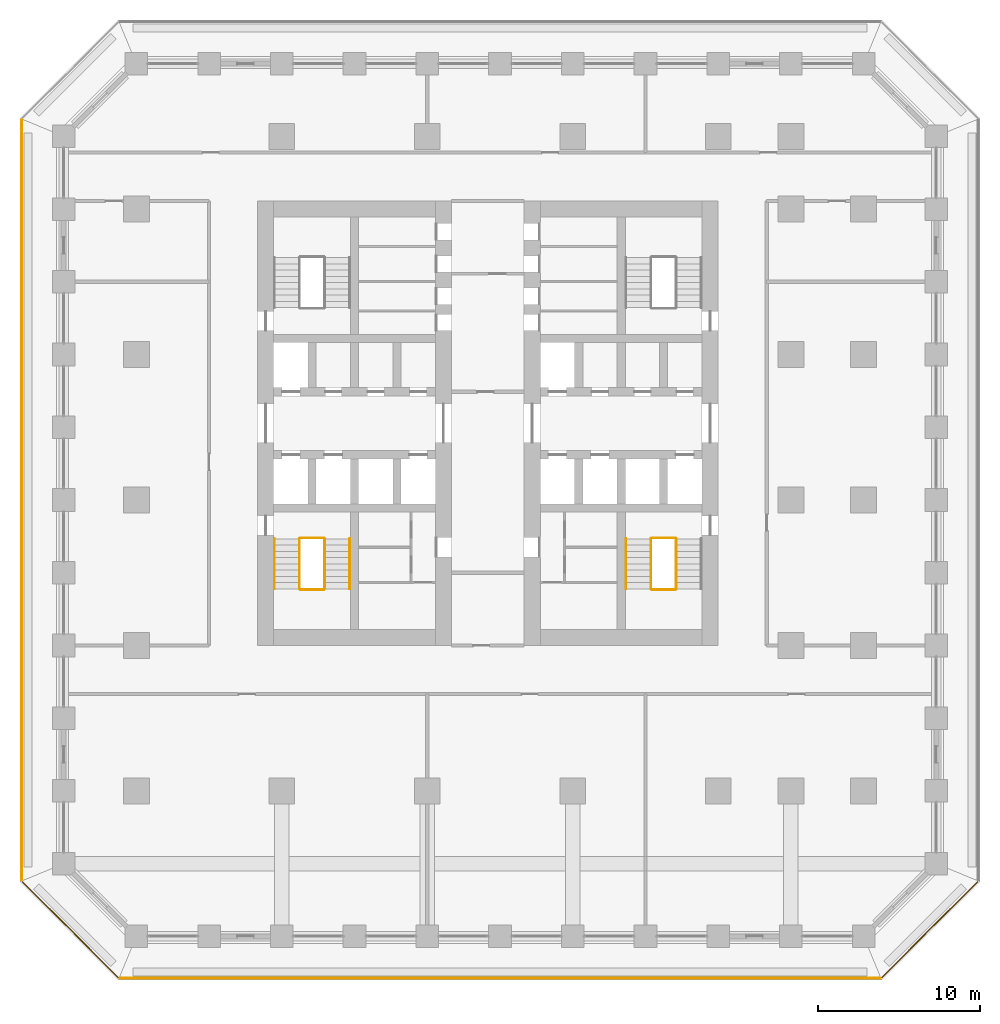
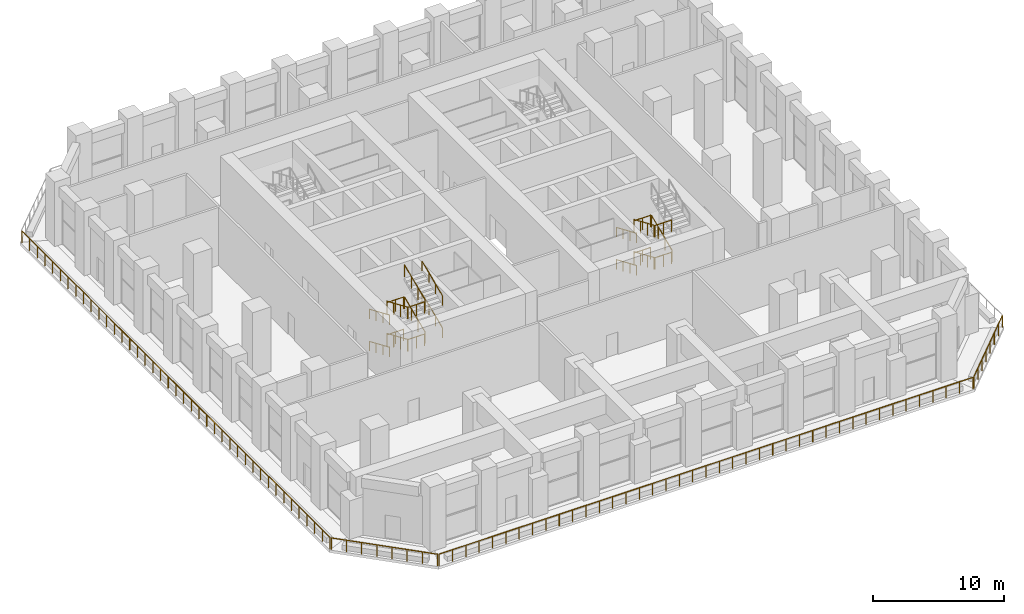
# One storey, part 16 of 19: 25 railings.
"""IFC4 building model written with IfcOpenShell, lengths in metres."""

from ifc_helpers import new_model, si_unit, direction, frame, origin, origin_2d, place, context, subcontext, project, spatial, circle, extrude, material, type_object, element, save


model = new_model("IFC4")

# Units and contexts
model_context = context("Model", 3, precision=1e-05, world=origin(), true_north=direction((0.0, 1.0)))
body_context = subcontext(model_context, "Body", "Model", "MODEL_VIEW")
ifc_project = project(units=[si_unit("LENGTHUNIT", "METRE"), si_unit("AREAUNIT", "SQUARE_METRE"), si_unit("VOLUMEUNIT", "CUBIC_METRE"), si_unit("PLANEANGLEUNIT", "RADIAN"), si_unit("MASSUNIT", "GRAM", prefix="KILO")], contexts=[model_context])

# Site, building, storey
site_placement = place(None, origin())
site = spatial("IfcSite", under=ifc_project, at=site_placement, CompositionType="ELEMENT")
building_placement = place(site_placement, origin())
building = spatial("IfcBuilding", under=site, at=building_placement, Name="Corbel Stack Research Tower", CompositionType="ELEMENT")
storey_placement = place(building_placement, frame((0.0, 0.0, 70.60009765625)))
storey = spatial("IfcBuildingStorey", under=building, at=storey_placement, Name="L16", CompositionType="ELEMENT", Elevation=70.60009765625)

# Railings
ifc_material_1 = material(Name="Steel S355", Category="steel")
railing_type_1 = type_object("IfcRailingType", Name="Stair guard 1100", PredefinedType="GUARDRAIL", material=ifc_material_1)
railing_1_placement = place(storey_placement, frame((-7.89990234375, -2.39990234375, 0.16650390625)))
element("IfcRailing", 1, at=railing_1_placement, inside=storey, type_object=railing_type_1, Name="L16 ST-W1 stair guard 1", PredefinedType="GUARDRAIL", context=body_context, shape_type="SweptSolid", body=[
    extrude(circle(Radius=0.02392578125, at=origin_2d()), frame((0.0, 0.0, 1.076171875), z_axis=(0.0, -0.918800789217, 0.394721559753), x_axis=(1.0, 0.0, 0.0)), (0.0, 0.0, 1.0), 3.37841796875),
    extrude(circle(Radius=0.02099609375, at=origin_2d()), origin(), (0.0, 0.0, 1.0), 1.052001953125),
    extrude(circle(Radius=0.02099609375, at=origin_2d()), frame((0.0, -1.03466796875, 0.444580078125)), (0.0, 0.0, 1.0), 1.052001953125),
    extrude(circle(Radius=0.02099609375, at=origin_2d()), frame((0.0, -2.0693359375, 0.888916015625)), (0.0, 0.0, 1.0), 1.052001953125),
    extrude(circle(Radius=0.02099609375, at=origin_2d()), frame((0.0, -3.10400390625, 1.33349609375)), (0.0, 0.0, 1.0), 1.052001953125),
])
railing_2_placement = place(storey_placement, frame((-7.85009765625, -5.553955078125, 1.5)))
element("IfcRailing", 2, at=railing_2_placement, inside=storey, type_object=railing_type_1, Name="L16 ST-W1 stair guard 2", PredefinedType="GUARDRAIL", context=body_context, shape_type="SweptSolid", body=[
    extrude(circle(Radius=0.02392578125, at=origin_2d()), frame((0.0, 0.0, 1.076171875), z_axis=(1.0, 0.0, 0.0), x_axis=(0.0, 1.0, 0.0)), (0.0, 0.0, 1.0), 1.4501953125),
    extrude(circle(Radius=0.02099609375, at=origin_2d()), origin(), (0.0, 0.0, 1.0), 1.052001953125),
    extrude(circle(Radius=0.02099609375, at=origin_2d()), frame((0.72509765625, 0.0, 0.0)), (0.0, 0.0, 1.0), 1.052001953125),
    extrude(circle(Radius=0.02099609375, at=origin_2d()), frame((1.4501953125, 0.0, 0.0)), (0.0, 0.0, 1.0), 1.052001953125),
])
railing_3_placement = place(storey_placement, frame((-6.35009765625, -5.50390625, 1.66650390625)))
element("IfcRailing", 3, at=railing_3_placement, inside=storey, type_object=railing_type_1, Name="L16 ST-W1 stair guard 3", PredefinedType="GUARDRAIL", context=body_context, shape_type="SweptSolid", body=[
    extrude(circle(Radius=0.02392578125, at=origin_2d()), frame((0.0, 0.0, 1.076171875), z_axis=(0.0, 0.918800789217, 0.394721559753), x_axis=(-1.0, 0.0, 0.0)), (0.0, 0.0, 1.0), 3.37841796875),
    extrude(circle(Radius=0.02099609375, at=origin_2d()), origin(), (0.0, 0.0, 1.0), 1.052001953125),
    extrude(circle(Radius=0.02099609375, at=origin_2d()), frame((0.0, 1.03466796875, 0.444580078125)), (0.0, 0.0, 1.0), 1.052001953125),
    extrude(circle(Radius=0.02099609375, at=origin_2d()), frame((0.0, 2.0693359375, 0.888916015625)), (0.0, 0.0, 1.0), 1.052001953125),
    extrude(circle(Radius=0.02099609375, at=origin_2d()), frame((0.0, 3.10400390625, 1.33349609375)), (0.0, 0.0, 1.0), 1.052001953125),
])
railing_4_placement = place(storey_placement, frame((-7.85009765625, -2.35009765625, 3.0)))
element("IfcRailing", 4, at=railing_4_placement, inside=storey, type_object=railing_type_1, Name="L16 ST-W1 stair guard 4", PredefinedType="GUARDRAIL", context=body_context, shape_type="SweptSolid", body=[
    extrude(circle(Radius=0.02392578125, at=origin_2d()), frame((0.0, 0.0, 1.076171875), z_axis=(1.0, 0.0, 0.0), x_axis=(0.0, 1.0, 0.0)), (0.0, 0.0, 1.0), 1.4501953125),
    extrude(circle(Radius=0.02099609375, at=origin_2d()), origin(), (0.0, 0.0, 1.0), 1.052001953125),
    extrude(circle(Radius=0.02099609375, at=origin_2d()), frame((0.72509765625, 0.0, 0.0)), (0.0, 0.0, 1.0), 1.052001953125),
    extrude(circle(Radius=0.02099609375, at=origin_2d()), frame((1.4501953125, 0.0, 0.0)), (0.0, 0.0, 1.0), 1.052001953125),
])
railing_5_placement = place(storey_placement, frame((-7.89990234375, -2.39990234375, 3.16650390625)))
element("IfcRailing", 5, at=railing_5_placement, inside=storey, type_object=railing_type_1, Name="L16 ST-W1 stair guard 5", PredefinedType="GUARDRAIL", context=body_context, shape_type="SweptSolid", body=[
    extrude(circle(Radius=0.02392578125, at=origin_2d()), frame((0.0, 0.0, 1.076171875), z_axis=(0.0, -0.918800789217, 0.394721559753), x_axis=(1.0, 0.0, 0.0)), (0.0, 0.0, 1.0), 3.37841796875),
    extrude(circle(Radius=0.02099609375, at=origin_2d()), origin(), (0.0, 0.0, 1.0), 1.052001953125),
    extrude(circle(Radius=0.02099609375, at=origin_2d()), frame((0.0, -1.03466796875, 0.444580078125)), (0.0, 0.0, 1.0), 1.052001953125),
    extrude(circle(Radius=0.02099609375, at=origin_2d()), frame((0.0, -2.0693359375, 0.888916015625)), (0.0, 0.0, 1.0), 1.052001953125),
    extrude(circle(Radius=0.02099609375, at=origin_2d()), frame((0.0, -3.10400390625, 1.33349609375)), (0.0, 0.0, 1.0), 1.052001953125),
])
railing_6_placement = place(storey_placement, frame((-7.85009765625, -5.553955078125, 4.5)))
element("IfcRailing", 6, at=railing_6_placement, inside=storey, type_object=railing_type_1, Name="L16 ST-W1 stair guard 6", PredefinedType="GUARDRAIL", context=body_context, shape_type="SweptSolid", body=[
    extrude(circle(Radius=0.02392578125, at=origin_2d()), frame((0.0, 0.0, 1.076171875), z_axis=(1.0, 0.0, 0.0), x_axis=(0.0, 1.0, 0.0)), (0.0, 0.0, 1.0), 1.4501953125),
    extrude(circle(Radius=0.02099609375, at=origin_2d()), origin(), (0.0, 0.0, 1.0), 1.052001953125),
    extrude(circle(Radius=0.02099609375, at=origin_2d()), frame((0.72509765625, 0.0, 0.0)), (0.0, 0.0, 1.0), 1.052001953125),
    extrude(circle(Radius=0.02099609375, at=origin_2d()), frame((1.4501953125, 0.0, 0.0)), (0.0, 0.0, 1.0), 1.052001953125),
])
railing_7_placement = place(storey_placement, frame((-6.35009765625, -5.50390625, 4.66650390625)))
element("IfcRailing", 7, at=railing_7_placement, inside=storey, type_object=railing_type_1, Name="L16 ST-W1 stair guard 7", PredefinedType="GUARDRAIL", context=body_context, shape_type="SweptSolid", body=[
    extrude(circle(Radius=0.02392578125, at=origin_2d()), frame((0.0, 0.0, 1.076171875), z_axis=(0.0, 0.918800789217, 0.394721559753), x_axis=(-1.0, 0.0, 0.0)), (0.0, 0.0, 1.0), 3.37841796875),
    extrude(circle(Radius=0.02099609375, at=origin_2d()), origin(), (0.0, 0.0, 1.0), 1.052001953125),
    extrude(circle(Radius=0.02099609375, at=origin_2d()), frame((0.0, 1.03466796875, 0.444580078125)), (0.0, 0.0, 1.0), 1.052001953125),
    extrude(circle(Radius=0.02099609375, at=origin_2d()), frame((0.0, 2.0693359375, 0.888916015625)), (0.0, 0.0, 1.0), 1.052001953125),
    extrude(circle(Radius=0.02099609375, at=origin_2d()), frame((0.0, 3.10400390625, 1.33349609375)), (0.0, 0.0, 1.0), 1.052001953125),
])
railing_8_placement = place(storey_placement, frame((-7.85009765625, -2.35009765625, 0.0)))
element("IfcRailing", 8, at=railing_8_placement, inside=storey, type_object=railing_type_1, Name="L16 ST-W1 stair guard 8", PredefinedType="GUARDRAIL", context=body_context, shape_type="SweptSolid", body=[
    extrude(circle(Radius=0.02392578125, at=origin_2d()), frame((0.0, 0.0, 1.076171875), z_axis=(1.0, 0.0, 0.0), x_axis=(0.0, 1.0, 0.0)), (0.0, 0.0, 1.0), 1.4501953125),
    extrude(circle(Radius=0.02099609375, at=origin_2d()), origin(), (0.0, 0.0, 1.0), 1.052001953125),
    extrude(circle(Radius=0.02099609375, at=origin_2d()), frame((0.72509765625, 0.0, 0.0)), (0.0, 0.0, 1.0), 1.052001953125),
    extrude(circle(Radius=0.02099609375, at=origin_2d()), frame((1.4501953125, 0.0, 0.0)), (0.0, 0.0, 1.0), 1.052001953125),
])
railing_9_placement = place(storey_placement, frame((13.85009765625, -2.39990234375, 0.16650390625)))
element("IfcRailing", 9, at=railing_9_placement, inside=storey, type_object=railing_type_1, Name="L16 ST-E1 stair guard 1", PredefinedType="GUARDRAIL", context=body_context, shape_type="SweptSolid", body=[
    extrude(circle(Radius=0.02392578125, at=origin_2d()), frame((0.0, 0.0, 1.076171875), z_axis=(0.0, -0.918800789217, 0.394721559753), x_axis=(1.0, 0.0, 0.0)), (0.0, 0.0, 1.0), 3.37841796875),
    extrude(circle(Radius=0.02099609375, at=origin_2d()), origin(), (0.0, 0.0, 1.0), 1.052001953125),
    extrude(circle(Radius=0.02099609375, at=origin_2d()), frame((0.0, -1.03466796875, 0.444580078125)), (0.0, 0.0, 1.0), 1.052001953125),
    extrude(circle(Radius=0.02099609375, at=origin_2d()), frame((0.0, -2.0693359375, 0.888916015625)), (0.0, 0.0, 1.0), 1.052001953125),
    extrude(circle(Radius=0.02099609375, at=origin_2d()), frame((0.0, -3.10400390625, 1.33349609375)), (0.0, 0.0, 1.0), 1.052001953125),
])
railing_10_placement = place(storey_placement, frame((13.89990234375, -5.553955078125, 1.5)))
element("IfcRailing", 10, at=railing_10_placement, inside=storey, type_object=railing_type_1, Name="L16 ST-E1 stair guard 2", PredefinedType="GUARDRAIL", context=body_context, shape_type="SweptSolid", body=[
    extrude(circle(Radius=0.02392578125, at=origin_2d()), frame((0.0, 0.0, 1.076171875), z_axis=(1.0, 0.0, 0.0), x_axis=(0.0, 1.0, 0.0)), (0.0, 0.0, 1.0), 1.4501953125),
    extrude(circle(Radius=0.02099609375, at=origin_2d()), origin(), (0.0, 0.0, 1.0), 1.052001953125),
    extrude(circle(Radius=0.02099609375, at=origin_2d()), frame((0.72509765625, 0.0, 0.0)), (0.0, 0.0, 1.0), 1.052001953125),
    extrude(circle(Radius=0.02099609375, at=origin_2d()), frame((1.4501953125, 0.0, 0.0)), (0.0, 0.0, 1.0), 1.052001953125),
])
railing_11_placement = place(storey_placement, frame((15.39990234375, -5.50390625, 1.66650390625)))
element("IfcRailing", 11, at=railing_11_placement, inside=storey, type_object=railing_type_1, Name="L16 ST-E1 stair guard 3", PredefinedType="GUARDRAIL", context=body_context, shape_type="SweptSolid", body=[
    extrude(circle(Radius=0.02392578125, at=origin_2d()), frame((0.0, 0.0, 1.076171875), z_axis=(0.0, 0.918800789217, 0.394721559753), x_axis=(-1.0, 0.0, 0.0)), (0.0, 0.0, 1.0), 3.37841796875),
    extrude(circle(Radius=0.02099609375, at=origin_2d()), origin(), (0.0, 0.0, 1.0), 1.052001953125),
    extrude(circle(Radius=0.02099609375, at=origin_2d()), frame((0.0, 1.03466796875, 0.444580078125)), (0.0, 0.0, 1.0), 1.052001953125),
    extrude(circle(Radius=0.02099609375, at=origin_2d()), frame((0.0, 2.0693359375, 0.888916015625)), (0.0, 0.0, 1.0), 1.052001953125),
    extrude(circle(Radius=0.02099609375, at=origin_2d()), frame((0.0, 3.10400390625, 1.33349609375)), (0.0, 0.0, 1.0), 1.052001953125),
])
railing_12_placement = place(storey_placement, frame((13.89990234375, -2.35009765625, 3.0)))
element("IfcRailing", 12, at=railing_12_placement, inside=storey, type_object=railing_type_1, Name="L16 ST-E1 stair guard 4", PredefinedType="GUARDRAIL", context=body_context, shape_type="SweptSolid", body=[
    extrude(circle(Radius=0.02392578125, at=origin_2d()), frame((0.0, 0.0, 1.076171875), z_axis=(1.0, 0.0, 0.0), x_axis=(0.0, 1.0, 0.0)), (0.0, 0.0, 1.0), 1.4501953125),
    extrude(circle(Radius=0.02099609375, at=origin_2d()), origin(), (0.0, 0.0, 1.0), 1.052001953125),
    extrude(circle(Radius=0.02099609375, at=origin_2d()), frame((0.72509765625, 0.0, 0.0)), (0.0, 0.0, 1.0), 1.052001953125),
    extrude(circle(Radius=0.02099609375, at=origin_2d()), frame((1.4501953125, 0.0, 0.0)), (0.0, 0.0, 1.0), 1.052001953125),
])
railing_13_placement = place(storey_placement, frame((13.85009765625, -2.39990234375, 3.16650390625)))
element("IfcRailing", 13, at=railing_13_placement, inside=storey, type_object=railing_type_1, Name="L16 ST-E1 stair guard 5", PredefinedType="GUARDRAIL", context=body_context, shape_type="SweptSolid", body=[
    extrude(circle(Radius=0.02392578125, at=origin_2d()), frame((0.0, 0.0, 1.076171875), z_axis=(0.0, -0.918800789217, 0.394721559753), x_axis=(1.0, 0.0, 0.0)), (0.0, 0.0, 1.0), 3.37841796875),
    extrude(circle(Radius=0.02099609375, at=origin_2d()), origin(), (0.0, 0.0, 1.0), 1.052001953125),
    extrude(circle(Radius=0.02099609375, at=origin_2d()), frame((0.0, -1.03466796875, 0.444580078125)), (0.0, 0.0, 1.0), 1.052001953125),
    extrude(circle(Radius=0.02099609375, at=origin_2d()), frame((0.0, -2.0693359375, 0.888916015625)), (0.0, 0.0, 1.0), 1.052001953125),
    extrude(circle(Radius=0.02099609375, at=origin_2d()), frame((0.0, -3.10400390625, 1.33349609375)), (0.0, 0.0, 1.0), 1.052001953125),
])
for number, where, name in (
    (14, (13.89990234375, -5.553955078125, 4.5), "L16 ST-E1 stair guard 6"),
    (15, (13.89990234375, -2.35009765625, 0.0), "L16 ST-E1 stair guard 8"),
):
    element("IfcRailing", number, at=place(storey_placement, frame(where)), inside=storey, type_object=railing_type_1, Name=name, PredefinedType="GUARDRAIL", context=body_context, shape_type="SweptSolid", body=[
        extrude(circle(Radius=0.02392578125, at=origin_2d()), frame((0.0, 0.0, 1.076171875), z_axis=(1.0, 0.0, 0.0), x_axis=(0.0, 1.0, 0.0)), (0.0, 0.0, 1.0), 1.4501953125),
        extrude(circle(Radius=0.02099609375, at=origin_2d()), origin(), (0.0, 0.0, 1.0), 1.052001953125),
        extrude(circle(Radius=0.02099609375, at=origin_2d()), frame((0.72509765625, 0.0, 0.0)), (0.0, 0.0, 1.0), 1.052001953125),
        extrude(circle(Radius=0.02099609375, at=origin_2d()), frame((1.4501953125, 0.0, 0.0)), (0.0, 0.0, 1.0), 1.052001953125),
    ])
ifc_material_2 = material(Name="Steel S355", Category="steel")
railing_type_2 = type_object("IfcRailingType", Name="Stair handrail 900", PredefinedType="HANDRAIL", material=ifc_material_2)
railing_14_placement = place(storey_placement, frame((-9.449951171875, -2.39990234375, 0.16650390625)))
element("IfcRailing", 16, at=railing_14_placement, inside=storey, type_object=railing_type_2, Name="L16 ST-W1 stair handrail 1", PredefinedType="HANDRAIL", context=body_context, shape_type="SweptSolid", body=[
    extrude(circle(Radius=0.02392578125, at=origin_2d()), frame((0.0, 0.0, 0.8759765625), z_axis=(0.0, -0.918800789217, 0.394721559753), x_axis=(1.0, 0.0, 0.0)), (0.0, 0.0, 1.0), 3.37841796875),
    extrude(circle(Radius=0.02099609375, at=origin_2d()), origin(), (0.0, 0.0, 1.0), 0.851806640625),
    extrude(circle(Radius=0.02099609375, at=origin_2d()), frame((0.0, -1.03466796875, 0.444580078125)), (0.0, 0.0, 1.0), 0.851806640625),
    extrude(circle(Radius=0.02099609375, at=origin_2d()), frame((0.0, -2.0693359375, 0.888916015625)), (0.0, 0.0, 1.0), 0.851806640625),
    extrude(circle(Radius=0.02099609375, at=origin_2d()), frame((0.0, -3.10400390625, 1.33349609375)), (0.0, 0.0, 1.0), 0.851806640625),
])
railing_15_placement = place(storey_placement, frame((-4.800048828125, -5.50390625, 1.66650390625)))
element("IfcRailing", 17, at=railing_15_placement, inside=storey, type_object=railing_type_2, Name="L16 ST-W1 stair handrail 2", PredefinedType="HANDRAIL", context=body_context, shape_type="SweptSolid", body=[
    extrude(circle(Radius=0.02392578125, at=origin_2d()), frame((0.0, 0.0, 0.8759765625), z_axis=(0.0, 0.918800789217, 0.394721559753), x_axis=(-1.0, 0.0, 0.0)), (0.0, 0.0, 1.0), 3.37841796875),
    extrude(circle(Radius=0.02099609375, at=origin_2d()), origin(), (0.0, 0.0, 1.0), 0.851806640625),
    extrude(circle(Radius=0.02099609375, at=origin_2d()), frame((0.0, 1.03466796875, 0.444580078125)), (0.0, 0.0, 1.0), 0.851806640625),
    extrude(circle(Radius=0.02099609375, at=origin_2d()), frame((0.0, 2.0693359375, 0.888916015625)), (0.0, 0.0, 1.0), 0.851806640625),
    extrude(circle(Radius=0.02099609375, at=origin_2d()), frame((0.0, 3.10400390625, 1.33349609375)), (0.0, 0.0, 1.0), 0.851806640625),
])
railing_16_placement = place(storey_placement, frame((-9.449951171875, -2.39990234375, 3.16650390625)))
element("IfcRailing", 18, at=railing_16_placement, inside=storey, type_object=railing_type_2, Name="L16 ST-W1 stair handrail 3", PredefinedType="HANDRAIL", context=body_context, shape_type="SweptSolid", body=[
    extrude(circle(Radius=0.02392578125, at=origin_2d()), frame((0.0, 0.0, 0.8759765625), z_axis=(0.0, -0.918800789217, 0.394721559753), x_axis=(1.0, 0.0, 0.0)), (0.0, 0.0, 1.0), 3.37841796875),
    extrude(circle(Radius=0.02099609375, at=origin_2d()), origin(), (0.0, 0.0, 1.0), 0.851806640625),
    extrude(circle(Radius=0.02099609375, at=origin_2d()), frame((0.0, -1.03466796875, 0.444580078125)), (0.0, 0.0, 1.0), 0.851806640625),
    extrude(circle(Radius=0.02099609375, at=origin_2d()), frame((0.0, -2.0693359375, 0.888916015625)), (0.0, 0.0, 1.0), 0.851806640625),
    extrude(circle(Radius=0.02099609375, at=origin_2d()), frame((0.0, -3.10400390625, 1.33349609375)), (0.0, 0.0, 1.0), 0.851806640625),
])
railing_17_placement = place(storey_placement, frame((-4.800048828125, -5.50390625, 4.66650390625)))
element("IfcRailing", 19, at=railing_17_placement, inside=storey, type_object=railing_type_2, Name="L16 ST-W1 stair handrail 4", PredefinedType="HANDRAIL", context=body_context, shape_type="SweptSolid", body=[
    extrude(circle(Radius=0.02392578125, at=origin_2d()), frame((0.0, 0.0, 0.8759765625), z_axis=(0.0, 0.918800789217, 0.394721559753), x_axis=(-1.0, 0.0, 0.0)), (0.0, 0.0, 1.0), 3.37841796875),
    extrude(circle(Radius=0.02099609375, at=origin_2d()), origin(), (0.0, 0.0, 1.0), 0.851806640625),
    extrude(circle(Radius=0.02099609375, at=origin_2d()), frame((0.0, 1.03466796875, 0.444580078125)), (0.0, 0.0, 1.0), 0.851806640625),
    extrude(circle(Radius=0.02099609375, at=origin_2d()), frame((0.0, 2.0693359375, 0.888916015625)), (0.0, 0.0, 1.0), 0.851806640625),
    extrude(circle(Radius=0.02099609375, at=origin_2d()), frame((0.0, 3.10400390625, 1.33349609375)), (0.0, 0.0, 1.0), 0.851806640625),
])
for number, where, name in (
    (20, (12.300048828125, -2.39990234375, 0.16650390625), "L16 ST-E1 stair handrail 1"),
    (21, (12.300048828125, -2.39990234375, 3.16650390625), "L16 ST-E1 stair handrail 3"),
):
    element("IfcRailing", number, at=place(storey_placement, frame(where)), inside=storey, type_object=railing_type_2, Name=name, PredefinedType="HANDRAIL", context=body_context, shape_type="SweptSolid", body=[
        extrude(circle(Radius=0.02392578125, at=origin_2d()), frame((0.0, 0.0, 0.8759765625), z_axis=(0.0, -0.918800789217, 0.394721559753), x_axis=(1.0, 0.0, 0.0)), (0.0, 0.0, 1.0), 3.37841796875),
        extrude(circle(Radius=0.02099609375, at=origin_2d()), origin(), (0.0, 0.0, 1.0), 0.851806640625),
        extrude(circle(Radius=0.02099609375, at=origin_2d()), frame((0.0, -1.03466796875, 0.444580078125)), (0.0, 0.0, 1.0), 0.851806640625),
        extrude(circle(Radius=0.02099609375, at=origin_2d()), frame((0.0, -2.0693359375, 0.888916015625)), (0.0, 0.0, 1.0), 0.851806640625),
        extrude(circle(Radius=0.02099609375, at=origin_2d()), frame((0.0, -3.10400390625, 1.33349609375)), (0.0, 0.0, 1.0), 0.851806640625),
    ])
ifc_material_3 = material(Name="Powder-coated steel guard", Category="steel")
railing_type_3 = type_object("IfcRailingType", Name="Steel and glass guard 1100", PredefinedType="GUARDRAIL", material=ifc_material_3)
railing_18_placement = place(storey_placement, frame((-19.00537109375, -29.60009765625, 0.0)))
element("IfcRailing", 22, at=railing_18_placement, inside=storey, type_object=railing_type_3, Name="Loggia guard L16 S", PredefinedType="GUARDRAIL", context=body_context, shape_type="SweptSolid", body=[
    extrude(circle(Radius=0.02392578125, at=origin_2d()), frame((0.0, 0.0, 1.076171875), z_axis=(1.0, 0.0, 0.0), x_axis=(0.0, 1.0, 0.0)), (0.0, 0.0, 1.0), 47.0107421875),
    extrude(circle(Radius=0.02099609375, at=origin_2d()), origin(), (0.0, 0.0, 1.0), 1.052001953125),
    extrude(circle(Radius=0.02099609375, at=origin_2d()), frame((1.17529296875, 0.0, 0.0)), (0.0, 0.0, 1.0), 1.052001953125),
    extrude(circle(Radius=0.02099609375, at=origin_2d()), frame((2.3505859375, 0.0, 0.0)), (0.0, 0.0, 1.0), 1.052001953125),
    extrude(circle(Radius=0.02099609375, at=origin_2d()), frame((3.52587890625, 0.0, 0.0)), (0.0, 0.0, 1.0), 1.052001953125),
    extrude(circle(Radius=0.02099609375, at=origin_2d()), frame((4.701171875, 0.0, 0.0)), (0.0, 0.0, 1.0), 1.052001953125),
    extrude(circle(Radius=0.02099609375, at=origin_2d()), frame((5.87646484375, 0.0, 0.0)), (0.0, 0.0, 1.0), 1.052001953125),
    extrude(circle(Radius=0.02099609375, at=origin_2d()), frame((7.051513671875, 0.0, 0.0)), (0.0, 0.0, 1.0), 1.052001953125),
    extrude(circle(Radius=0.02099609375, at=origin_2d()), frame((8.226806640625, 0.0, 0.0)), (0.0, 0.0, 1.0), 1.052001953125),
    extrude(circle(Radius=0.02099609375, at=origin_2d()), frame((9.402099609375, 0.0, 0.0)), (0.0, 0.0, 1.0), 1.052001953125),
    extrude(circle(Radius=0.02099609375, at=origin_2d()), frame((10.577392578125, 0.0, 0.0)), (0.0, 0.0, 1.0), 1.052001953125),
    extrude(circle(Radius=0.02099609375, at=origin_2d()), frame((11.752685546875, 0.0, 0.0)), (0.0, 0.0, 1.0), 1.052001953125),
    extrude(circle(Radius=0.02099609375, at=origin_2d()), frame((12.927978515625, 0.0, 0.0)), (0.0, 0.0, 1.0), 1.052001953125),
    extrude(circle(Radius=0.02099609375, at=origin_2d()), frame((14.103271484375, 0.0, 0.0)), (0.0, 0.0, 1.0), 1.052001953125),
    extrude(circle(Radius=0.02099609375, at=origin_2d()), frame((15.278564453125, 0.0, 0.0)), (0.0, 0.0, 1.0), 1.052001953125),
    extrude(circle(Radius=0.02099609375, at=origin_2d()), frame((16.453857421875, 0.0, 0.0)), (0.0, 0.0, 1.0), 1.052001953125),
    extrude(circle(Radius=0.02099609375, at=origin_2d()), frame((17.62890625, 0.0, 0.0)), (0.0, 0.0, 1.0), 1.052001953125),
    extrude(circle(Radius=0.02099609375, at=origin_2d()), frame((18.80419921875, 0.0, 0.0)), (0.0, 0.0, 1.0), 1.052001953125),
    extrude(circle(Radius=0.02099609375, at=origin_2d()), frame((19.9794921875, 0.0, 0.0)), (0.0, 0.0, 1.0), 1.052001953125),
    extrude(circle(Radius=0.02099609375, at=origin_2d()), frame((21.15478515625, 0.0, 0.0)), (0.0, 0.0, 1.0), 1.052001953125),
    extrude(circle(Radius=0.02099609375, at=origin_2d()), frame((22.330078125, 0.0, 0.0)), (0.0, 0.0, 1.0), 1.052001953125),
    extrude(circle(Radius=0.02099609375, at=origin_2d()), frame((23.50537109375, 0.0, 0.0)), (0.0, 0.0, 1.0), 1.052001953125),
    extrude(circle(Radius=0.02099609375, at=origin_2d()), frame((24.6806640625, 0.0, 0.0)), (0.0, 0.0, 1.0), 1.052001953125),
    extrude(circle(Radius=0.02099609375, at=origin_2d()), frame((25.85595703125, 0.0, 0.0)), (0.0, 0.0, 1.0), 1.052001953125),
    extrude(circle(Radius=0.02099609375, at=origin_2d()), frame((27.03125, 0.0, 0.0)), (0.0, 0.0, 1.0), 1.052001953125),
    extrude(circle(Radius=0.02099609375, at=origin_2d()), frame((28.20654296875, 0.0, 0.0)), (0.0, 0.0, 1.0), 1.052001953125),
    extrude(circle(Radius=0.02099609375, at=origin_2d()), frame((29.3818359375, 0.0, 0.0)), (0.0, 0.0, 1.0), 1.052001953125),
    extrude(circle(Radius=0.02099609375, at=origin_2d()), frame((30.556884765625, 0.0, 0.0)), (0.0, 0.0, 1.0), 1.052001953125),
    extrude(circle(Radius=0.02099609375, at=origin_2d()), frame((31.732177734375, 0.0, 0.0)), (0.0, 0.0, 1.0), 1.052001953125),
    extrude(circle(Radius=0.02099609375, at=origin_2d()), frame((32.907470703125, 0.0, 0.0)), (0.0, 0.0, 1.0), 1.052001953125),
    extrude(circle(Radius=0.02099609375, at=origin_2d()), frame((34.082763671875, 0.0, 0.0)), (0.0, 0.0, 1.0), 1.052001953125),
    extrude(circle(Radius=0.02099609375, at=origin_2d()), frame((35.258056640625, 0.0, 0.0)), (0.0, 0.0, 1.0), 1.052001953125),
    extrude(circle(Radius=0.02099609375, at=origin_2d()), frame((36.433349609375, 0.0, 0.0)), (0.0, 0.0, 1.0), 1.052001953125),
    extrude(circle(Radius=0.02099609375, at=origin_2d()), frame((37.608642578125, 0.0, 0.0)), (0.0, 0.0, 1.0), 1.052001953125),
    extrude(circle(Radius=0.02099609375, at=origin_2d()), frame((38.783935546875, 0.0, 0.0)), (0.0, 0.0, 1.0), 1.052001953125),
    extrude(circle(Radius=0.02099609375, at=origin_2d()), frame((39.959228515625, 0.0, 0.0)), (0.0, 0.0, 1.0), 1.052001953125),
    extrude(circle(Radius=0.02099609375, at=origin_2d()), frame((41.13427734375, 0.0, 0.0)), (0.0, 0.0, 1.0), 1.052001953125),
    extrude(circle(Radius=0.02099609375, at=origin_2d()), frame((42.3095703125, 0.0, 0.0)), (0.0, 0.0, 1.0), 1.052001953125),
    extrude(circle(Radius=0.02099609375, at=origin_2d()), frame((43.48486328125, 0.0, 0.0)), (0.0, 0.0, 1.0), 1.052001953125),
    extrude(circle(Radius=0.02099609375, at=origin_2d()), frame((44.66015625, 0.0, 0.0)), (0.0, 0.0, 1.0), 1.052001953125),
    extrude(circle(Radius=0.02099609375, at=origin_2d()), frame((45.83544921875, 0.0, 0.0)), (0.0, 0.0, 1.0), 1.052001953125),
    extrude(circle(Radius=0.02099609375, at=origin_2d()), frame((47.0107421875, 0.0, 0.0)), (0.0, 0.0, 1.0), 1.052001953125),
])
railing_19_placement = place(storey_placement, frame((28.127685546875, -29.54931640625, 0.0)))
element("IfcRailing", 23, at=railing_19_placement, inside=storey, type_object=railing_type_3, Name="Loggia guard L16 SE", PredefinedType="GUARDRAIL", context=body_context, shape_type="SweptSolid", body=[
    extrude(circle(Radius=0.02392578125, at=origin_2d()), frame((0.0, 0.0, 1.076171875), z_axis=(0.707106781187, 0.707106781187, 0.0), x_axis=(-0.707106781187, 0.707106781187, 0.0)), (0.0, 0.0, 1.0), 8.37451171875),
    extrude(circle(Radius=0.02099609375, at=origin_2d()), origin(), (0.0, 0.0, 1.0), 1.052001953125),
    extrude(circle(Radius=0.02099609375, at=origin_2d()), frame((0.845947265625, 0.845947265625, 0.0)), (0.0, 0.0, 1.0), 1.052001953125),
    extrude(circle(Radius=0.02099609375, at=origin_2d()), frame((1.69189453125, 1.69189453125, 0.0)), (0.0, 0.0, 1.0), 1.052001953125),
    extrude(circle(Radius=0.02099609375, at=origin_2d()), frame((2.537841796875, 2.537841796875, 0.0)), (0.0, 0.0, 1.0), 1.052001953125),
    extrude(circle(Radius=0.02099609375, at=origin_2d()), frame((3.3837890625, 3.3837890625, 0.0)), (0.0, 0.0, 1.0), 1.052001953125),
    extrude(circle(Radius=0.02099609375, at=origin_2d()), frame((4.229736328125, 4.229736328125, 0.0)), (0.0, 0.0, 1.0), 1.052001953125),
    extrude(circle(Radius=0.02099609375, at=origin_2d()), frame((5.07568359375, 5.07568359375, 0.0)), (0.0, 0.0, 1.0), 1.052001953125),
    extrude(circle(Radius=0.02099609375, at=origin_2d()), frame((5.921630859375, 5.921630859375, 0.0)), (0.0, 0.0, 1.0), 1.052001953125),
])
railing_20_placement = place(storey_placement, frame((-25.10009765625, 23.50537109375, 0.0)))
element("IfcRailing", 24, at=railing_20_placement, inside=storey, type_object=railing_type_3, Name="Loggia guard L16 W", PredefinedType="GUARDRAIL", context=body_context, shape_type="SweptSolid", body=[
    extrude(circle(Radius=0.02392578125, at=origin_2d()), frame((0.0, 0.0, 1.076171875), z_axis=(0.0, -1.0, 0.0), x_axis=(1.0, 0.0, 0.0)), (0.0, 0.0, 1.0), 47.0107421875),
    extrude(circle(Radius=0.02099609375, at=origin_2d()), origin(), (0.0, 0.0, 1.0), 1.052001953125),
    extrude(circle(Radius=0.02099609375, at=origin_2d()), frame((0.0, -1.17529296875, 0.0)), (0.0, 0.0, 1.0), 1.052001953125),
    extrude(circle(Radius=0.02099609375, at=origin_2d()), frame((0.0, -2.3505859375, 0.0)), (0.0, 0.0, 1.0), 1.052001953125),
    extrude(circle(Radius=0.02099609375, at=origin_2d()), frame((0.0, -3.52587890625, 0.0)), (0.0, 0.0, 1.0), 1.052001953125),
    extrude(circle(Radius=0.02099609375, at=origin_2d()), frame((0.0, -4.701171875, 0.0)), (0.0, 0.0, 1.0), 1.052001953125),
    extrude(circle(Radius=0.02099609375, at=origin_2d()), frame((0.0, -5.87646484375, 0.0)), (0.0, 0.0, 1.0), 1.052001953125),
    extrude(circle(Radius=0.02099609375, at=origin_2d()), frame((0.0, -7.051513671875, 0.0)), (0.0, 0.0, 1.0), 1.052001953125),
    extrude(circle(Radius=0.02099609375, at=origin_2d()), frame((0.0, -8.226806640625, 0.0)), (0.0, 0.0, 1.0), 1.052001953125),
    extrude(circle(Radius=0.02099609375, at=origin_2d()), frame((0.0, -9.402099609375, 0.0)), (0.0, 0.0, 1.0), 1.052001953125),
    extrude(circle(Radius=0.02099609375, at=origin_2d()), frame((0.0, -10.577392578125, 0.0)), (0.0, 0.0, 1.0), 1.052001953125),
    extrude(circle(Radius=0.02099609375, at=origin_2d()), frame((0.0, -11.752685546875, 0.0)), (0.0, 0.0, 1.0), 1.052001953125),
    extrude(circle(Radius=0.02099609375, at=origin_2d()), frame((0.0, -12.927978515625, 0.0)), (0.0, 0.0, 1.0), 1.052001953125),
    extrude(circle(Radius=0.02099609375, at=origin_2d()), frame((0.0, -14.103271484375, 0.0)), (0.0, 0.0, 1.0), 1.052001953125),
    extrude(circle(Radius=0.02099609375, at=origin_2d()), frame((0.0, -15.278564453125, 0.0)), (0.0, 0.0, 1.0), 1.052001953125),
    extrude(circle(Radius=0.02099609375, at=origin_2d()), frame((0.0, -16.453857421875, 0.0)), (0.0, 0.0, 1.0), 1.052001953125),
    extrude(circle(Radius=0.02099609375, at=origin_2d()), frame((0.0, -17.62890625, 0.0)), (0.0, 0.0, 1.0), 1.052001953125),
    extrude(circle(Radius=0.02099609375, at=origin_2d()), frame((0.0, -18.80419921875, 0.0)), (0.0, 0.0, 1.0), 1.052001953125),
    extrude(circle(Radius=0.02099609375, at=origin_2d()), frame((0.0, -19.9794921875, 0.0)), (0.0, 0.0, 1.0), 1.052001953125),
    extrude(circle(Radius=0.02099609375, at=origin_2d()), frame((0.0, -21.15478515625, 0.0)), (0.0, 0.0, 1.0), 1.052001953125),
    extrude(circle(Radius=0.02099609375, at=origin_2d()), frame((0.0, -22.330078125, 0.0)), (0.0, 0.0, 1.0), 1.052001953125),
    extrude(circle(Radius=0.02099609375, at=origin_2d()), frame((0.0, -23.50537109375, 0.0)), (0.0, 0.0, 1.0), 1.052001953125),
    extrude(circle(Radius=0.02099609375, at=origin_2d()), frame((0.0, -24.6806640625, 0.0)), (0.0, 0.0, 1.0), 1.052001953125),
    extrude(circle(Radius=0.02099609375, at=origin_2d()), frame((0.0, -25.85595703125, 0.0)), (0.0, 0.0, 1.0), 1.052001953125),
    extrude(circle(Radius=0.02099609375, at=origin_2d()), frame((0.0, -27.03125, 0.0)), (0.0, 0.0, 1.0), 1.052001953125),
    extrude(circle(Radius=0.02099609375, at=origin_2d()), frame((0.0, -28.20654296875, 0.0)), (0.0, 0.0, 1.0), 1.052001953125),
    extrude(circle(Radius=0.02099609375, at=origin_2d()), frame((0.0, -29.3818359375, 0.0)), (0.0, 0.0, 1.0), 1.052001953125),
    extrude(circle(Radius=0.02099609375, at=origin_2d()), frame((0.0, -30.556884765625, 0.0)), (0.0, 0.0, 1.0), 1.052001953125),
    extrude(circle(Radius=0.02099609375, at=origin_2d()), frame((0.0, -31.732177734375, 0.0)), (0.0, 0.0, 1.0), 1.052001953125),
    extrude(circle(Radius=0.02099609375, at=origin_2d()), frame((0.0, -32.907470703125, 0.0)), (0.0, 0.0, 1.0), 1.052001953125),
    extrude(circle(Radius=0.02099609375, at=origin_2d()), frame((0.0, -34.082763671875, 0.0)), (0.0, 0.0, 1.0), 1.052001953125),
    extrude(circle(Radius=0.02099609375, at=origin_2d()), frame((0.0, -35.258056640625, 0.0)), (0.0, 0.0, 1.0), 1.052001953125),
    extrude(circle(Radius=0.02099609375, at=origin_2d()), frame((0.0, -36.433349609375, 0.0)), (0.0, 0.0, 1.0), 1.052001953125),
    extrude(circle(Radius=0.02099609375, at=origin_2d()), frame((0.0, -37.608642578125, 0.0)), (0.0, 0.0, 1.0), 1.052001953125),
    extrude(circle(Radius=0.02099609375, at=origin_2d()), frame((0.0, -38.783935546875, 0.0)), (0.0, 0.0, 1.0), 1.052001953125),
    extrude(circle(Radius=0.02099609375, at=origin_2d()), frame((0.0, -39.959228515625, 0.0)), (0.0, 0.0, 1.0), 1.052001953125),
    extrude(circle(Radius=0.02099609375, at=origin_2d()), frame((0.0, -41.13427734375, 0.0)), (0.0, 0.0, 1.0), 1.052001953125),
    extrude(circle(Radius=0.02099609375, at=origin_2d()), frame((0.0, -42.3095703125, 0.0)), (0.0, 0.0, 1.0), 1.052001953125),
    extrude(circle(Radius=0.02099609375, at=origin_2d()), frame((0.0, -43.48486328125, 0.0)), (0.0, 0.0, 1.0), 1.052001953125),
    extrude(circle(Radius=0.02099609375, at=origin_2d()), frame((0.0, -44.66015625, 0.0)), (0.0, 0.0, 1.0), 1.052001953125),
    extrude(circle(Radius=0.02099609375, at=origin_2d()), frame((0.0, -45.83544921875, 0.0)), (0.0, 0.0, 1.0), 1.052001953125),
    extrude(circle(Radius=0.02099609375, at=origin_2d()), frame((0.0, -47.0107421875, 0.0)), (0.0, 0.0, 1.0), 1.052001953125),
])
railing_21_placement = place(storey_placement, frame((-25.04931640625, -23.627685546875, 0.0)))
element("IfcRailing", 25, at=railing_21_placement, inside=storey, type_object=railing_type_3, Name="Loggia guard L16 SW", PredefinedType="GUARDRAIL", context=body_context, shape_type="SweptSolid", body=[
    extrude(circle(Radius=0.02392578125, at=origin_2d()), frame((0.0, 0.0, 1.076171875), z_axis=(0.707106781187, -0.707106781187, 0.0), x_axis=(0.707106781187, 0.707106781187, 0.0)), (0.0, 0.0, 1.0), 8.37451171875),
    extrude(circle(Radius=0.02099609375, at=origin_2d()), origin(), (0.0, 0.0, 1.0), 1.052001953125),
    extrude(circle(Radius=0.02099609375, at=origin_2d()), frame((0.845947265625, -0.845947265625, 0.0)), (0.0, 0.0, 1.0), 1.052001953125),
    extrude(circle(Radius=0.02099609375, at=origin_2d()), frame((1.69189453125, -1.69189453125, 0.0)), (0.0, 0.0, 1.0), 1.052001953125),
    extrude(circle(Radius=0.02099609375, at=origin_2d()), frame((2.537841796875, -2.537841796875, 0.0)), (0.0, 0.0, 1.0), 1.052001953125),
    extrude(circle(Radius=0.02099609375, at=origin_2d()), frame((3.3837890625, -3.3837890625, 0.0)), (0.0, 0.0, 1.0), 1.052001953125),
    extrude(circle(Radius=0.02099609375, at=origin_2d()), frame((4.229736328125, -4.229736328125, 0.0)), (0.0, 0.0, 1.0), 1.052001953125),
    extrude(circle(Radius=0.02099609375, at=origin_2d()), frame((5.07568359375, -5.07568359375, 0.0)), (0.0, 0.0, 1.0), 1.052001953125),
    extrude(circle(Radius=0.02099609375, at=origin_2d()), frame((5.921630859375, -5.921630859375, 0.0)), (0.0, 0.0, 1.0), 1.052001953125),
])

save(model, "model.ifc")
